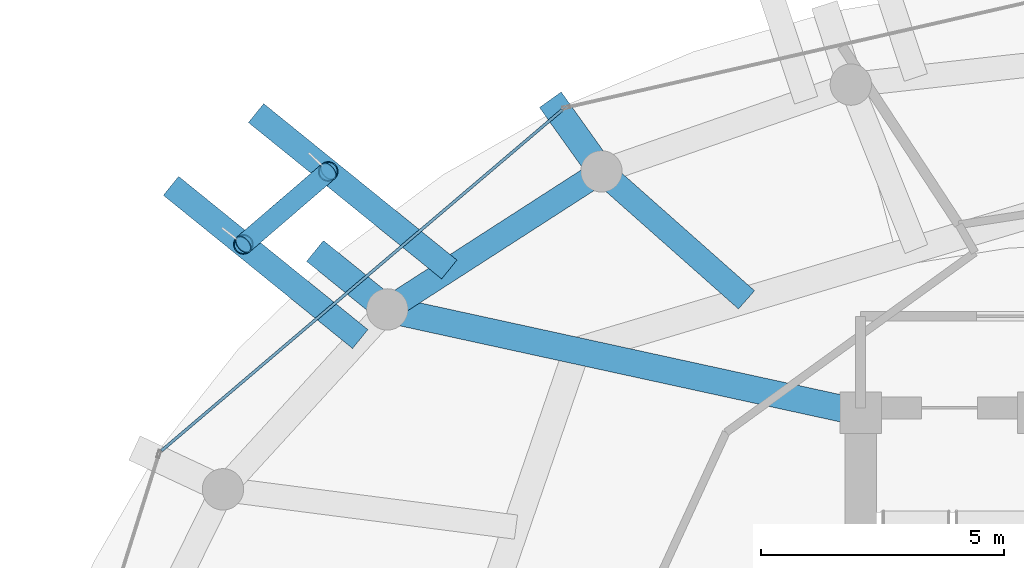
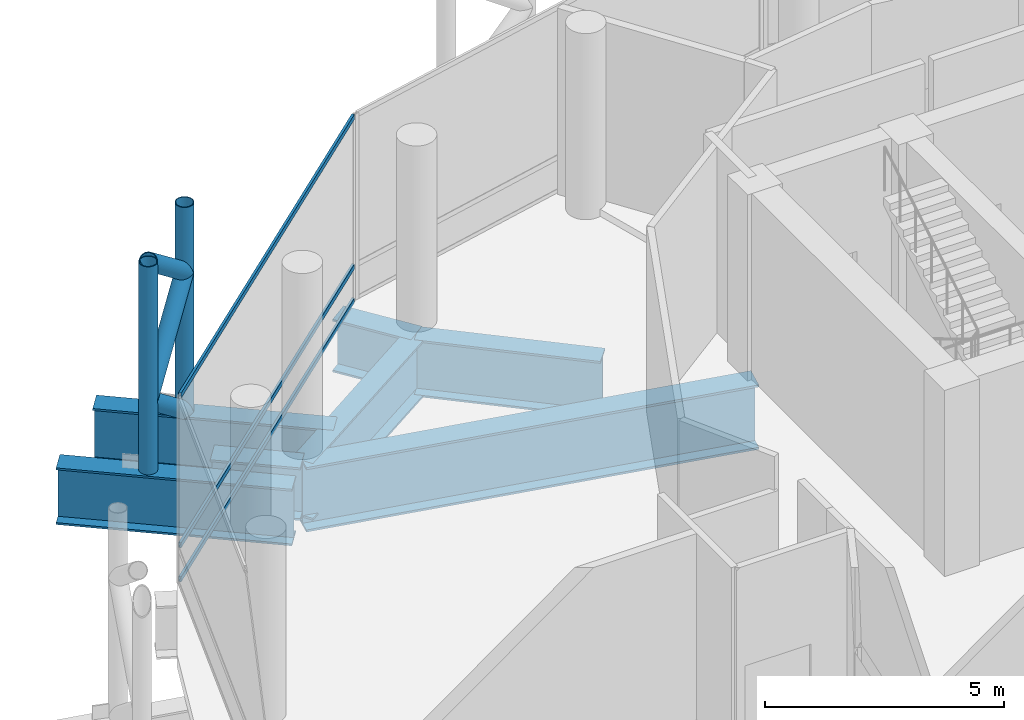
# One storey, part 17 of 31: 8 members, 7 beams, 1 element without a shape of its own.
"""IFC4 building model written with IfcOpenShell, lengths in metres."""

from ifc_helpers import new_model, si_unit, direction, frame, origin, origin_2d, place, context, subcontext, project, spatial, hollow_rectangle, hollow_circle, i_section, extrude, material, layer, layer_set, material_profile, profile_set, type_object, element, aggregate, save


model = new_model("IFC4")

# Units and contexts
model_context = context("Model", 3, precision=1e-05, world=origin(), true_north=direction((0.0, 1.0)))
body_context = subcontext(model_context, "Body", "Model", "MODEL_VIEW")
ifc_project = project(units=[si_unit("LENGTHUNIT", "METRE"), si_unit("AREAUNIT", "SQUARE_METRE"), si_unit("VOLUMEUNIT", "CUBIC_METRE"), si_unit("PLANEANGLEUNIT", "RADIAN"), si_unit("MASSUNIT", "GRAM", prefix="KILO")], contexts=[model_context])

# Site, building, storey
site_placement = place(None, origin())
site = spatial("IfcSite", under=ifc_project, at=site_placement, CompositionType="ELEMENT")
building_placement = place(site_placement, origin())
building = spatial("IfcBuilding", under=site, at=building_placement, Name="Nuhasar Tower", CompositionType="ELEMENT")
storey_placement = place(building_placement, frame((0.0, 0.0, 203.14990234375)))
storey = spatial("IfcBuildingStorey", under=building, at=storey_placement, Name="L49", CompositionType="ELEMENT", Elevation=203.14990234375)

# Beams
ifc_material_1 = material(Name="Steel S460", Category="steel")
ifc_material_profile_1 = material_profile(ifc_material_1, i_section(OverallWidth=0.550048828125, OverallDepth=1.35009765625, WebThickness=0.028076171875, FlangeThickness=0.050048828125, at=origin_2d()), Name="PG1350X550")
ifc_profile_set_1 = profile_set([ifc_material_profile_1], Name="Steel S460")
beam_type_1 = type_object("IfcBeamType", Name="BM-XFER-PG1350", PredefinedType="USERDEFINED", material=ifc_profile_set_1)
beam_1_placement = place(storey_placement, frame((23.97412109375, 39.422119140625, -0.994873046875), z_axis=(-0.777328188004, 0.629095293366, 0.0), x_axis=(-0.629095293366, -0.777328188004, 0.0)))
element("IfcBeam", 1, at=beam_1_placement, inside=storey, type_object=beam_type_1, Name="L49 Radial Step Transfer Girder 07", ObjectType="GIRDER", PredefinedType="USERDEFINED", context=body_context, shape_type="SweptSolid", body=[
    extrude(i_section(OverallWidth=0.550048828125, OverallDepth=1.35009765625, WebThickness=0.028076171875, FlangeThickness=0.050048828125, at=origin_2d()), origin(), (0.0, 0.0, 1.0), 1.91064453125),
])
beam_2_placement = place(storey_placement, frame((28.375, 42.259033203125, -0.994873046875), z_axis=(-0.580752721666, 0.81408001835, 0.0), x_axis=(-0.81408001835, -0.580752721666, 0.0)))
element("IfcBeam", 2, at=beam_2_placement, inside=storey, type_object=beam_type_1, Name="L49 Outer Column Step Transfer Girder 09", ObjectType="GIRDER", PredefinedType="USERDEFINED", context=body_context, shape_type="SweptSolid", body=[
    extrude(i_section(OverallWidth=0.550048828125, OverallDepth=1.35009765625, WebThickness=0.028076171875, FlangeThickness=0.050048828125, at=origin_2d()), origin(), (0.0, 0.0, 1.0), 1.80810546875),
])
ifc_material_profile_2 = material_profile(ifc_material_1, i_section(OverallWidth=0.5, OverallDepth=1.449951171875, WebThickness=0.028076171875, FlangeThickness=0.050048828125, at=origin_2d()), Name="PG1450X500")
ifc_profile_set_2 = profile_set([ifc_material_profile_2], Name="Steel S460")
beam_type_2 = type_object("IfcBeamType", Name="BM-XFER-PG1450", PredefinedType="USERDEFINED", material=ifc_profile_set_2)
beam_3_placement = place(storey_placement, frame((28.375, 42.259033203125, -1.044921875), z_axis=(-0.840502144969, -0.541808217272, 0.0), x_axis=(0.541808217272, -0.840502144969, 0.0)))
element("IfcBeam", 3, at=beam_3_placement, inside=storey, type_object=beam_type_2, Name="L49 Perimeter Ring Spandrel 09", ObjectType="GIRDER", PredefinedType="USERDEFINED", context=body_context, shape_type="SweptSolid", body=[
    extrude(i_section(OverallWidth=0.5, OverallDepth=1.449951171875, WebThickness=0.028076171875, FlangeThickness=0.050048828125, at=origin_2d()), origin(), (0.0, 0.0, 1.0), 5.236083984375),
])
beam_4_placement = place(storey_placement, frame((31.35595703125, 39.618896484375, -1.044921875), z_axis=(-0.748605569088, 0.663015612131, 0.0), x_axis=(-0.663015612131, -0.748605569088, 0.0)))
element("IfcBeam", 4, at=beam_4_placement, inside=storey, type_object=beam_type_2, Name="L49 Inner Column Transfer Girder 09", ObjectType="GIRDER", PredefinedType="USERDEFINED", context=body_context, shape_type="SweptSolid", body=[
    extrude(i_section(OverallWidth=0.5, OverallDepth=1.449951171875, WebThickness=0.028076171875, FlangeThickness=0.050048828125, at=origin_2d()), origin(), (0.0, 0.0, 1.0), 3.98193359375),
])
beam_5_placement = place(storey_placement, frame((25.248046875, 40.242919921875, -1.044921875), z_axis=(-0.777289384617, 0.629143236919, 0.0), x_axis=(-0.629143236919, -0.777289384617, 0.0)))
element("IfcBeam", 5, at=beam_5_placement, inside=storey, type_object=beam_type_2, Name="L49 Exoskeleton Step Transfer Girder 09", ObjectType="GIRDER", PredefinedType="USERDEFINED", context=body_context, shape_type="SweptSolid", body=[
    extrude(i_section(OverallWidth=0.5, OverallDepth=1.449951171875, WebThickness=0.028076171875, FlangeThickness=0.050048828125, at=origin_2d()), origin(), (0.0, 0.0, 1.0), 5.108642578125),
])
beam_6_placement = place(storey_placement, frame((23.41796875, 38.81298828125, -1.044921875), z_axis=(-0.777171012463, 0.629289454375, 0.0), x_axis=(-0.629289454375, -0.777171012463, 0.0)))
element("IfcBeam", 6, at=beam_6_placement, inside=storey, type_object=beam_type_2, Name="L49 Exoskeleton Step Transfer Girder 10", ObjectType="GIRDER", PredefinedType="USERDEFINED", context=body_context, shape_type="SweptSolid", body=[
    extrude(i_section(OverallWidth=0.5, OverallDepth=1.449951171875, WebThickness=0.028076171875, FlangeThickness=0.050048828125, at=origin_2d()), origin(), (0.0, 0.0, 1.0), 5.00390625),
])
ifc_material_profile_3 = material_profile(ifc_material_1, i_section(OverallWidth=0.550048828125, OverallDepth=1.64990234375, WebThickness=0.031982421875, FlangeThickness=0.054931640625, at=origin_2d()), Name="PG1650X550")
ifc_profile_set_3 = profile_set([ifc_material_profile_3], Name="Steel S460")
beam_type_3 = type_object("IfcBeamType", Name="BM-XFER-PG1650", PredefinedType="USERDEFINED", material=ifc_profile_set_3)
beam_7_placement = place(storey_placement, frame((33.699951171875, 37.300048828125, -1.14501953125), z_axis=(-0.977014275474, 0.213173885644, 0.0), x_axis=(-0.213173885644, -0.977014275474, 0.0)))
element("IfcBeam", 7, at=beam_7_placement, inside=storey, type_object=beam_type_3, Name="L49 Radial Floor Girder 07", ObjectType="GIRDER", PredefinedType="USERDEFINED", context=body_context, shape_type="SweptSolid", body=[
    extrude(i_section(OverallWidth=0.550048828125, OverallDepth=1.64990234375, WebThickness=0.031982421875, FlangeThickness=0.054931640625, at=origin_2d()), origin(), (0.0, 0.0, 1.0), 9.95458984375),
])

# Curtain wall, members
ifc_material_2 = material(Name="Aluminium 6063-T6", Category="aluminium")
ifc_layer = layer(ifc_material_2, 0.239990234375)
ifc_layer_set = layer_set([ifc_layer], Name="Aluminium 6063-T6")
curtain_wall_type = type_object("IfcCurtainWallType", Name="CW-SKY-LBY", PredefinedType="NOTDEFINED", material=ifc_layer_set)
curtain_wall_placement = place(storey_placement, origin())
curtain_wall = element("IfcCurtainWall", 8, at=curtain_wall_placement, inside=storey, type_object=curtain_wall_type, Name="L49 Unitised Curtain Wall 05", PredefinedType="NOTDEFINED")
ifc_material_profile_4 = material_profile(ifc_material_2, hollow_rectangle(XDim=0.06005859375, YDim=0.1298828125, WallThickness=0.00439453125, at=origin_2d()), Name="CWT-6")
ifc_profile_set_4 = profile_set([ifc_material_profile_4], Name="Aluminium 6063-T6")
member_type_1 = type_object("IfcMemberType", Name="CW-TRN-S6", PredefinedType="USERDEFINED", material=ifc_profile_set_4)
member_1_placement = place(storey_placement, frame((27.57421875, 43.527099609375, 0.030029296875), z_axis=(-0.761723760695, -0.647901931154, 0.0), x_axis=(0.647901931154, -0.761723760695, 0.0)))
member_1 = element("IfcMember", 9, at=member_1_placement, type_object=member_type_1, Name="CW-SL transom 1.1", ObjectType="TRANSOM", PredefinedType="USERDEFINED", context=body_context, shape_type="SweptSolid", body=[
    extrude(hollow_rectangle(XDim=0.06005859375, YDim=0.1298828125, WallThickness=0.00439453125, at=origin_2d()), origin(), (0.0, 0.0, 1.0), 10.81689453125),
])
member_2_placement = place(storey_placement, frame((27.57421875, 43.527099609375, 0.900146484375), z_axis=(-0.761723760695, -0.647901931154, 0.0), x_axis=(0.647901931154, -0.761723760695, 0.0)))
member_2 = element("IfcMember", 10, at=member_2_placement, type_object=member_type_1, Name="CW-SL transom 1.2", ObjectType="TRANSOM", PredefinedType="USERDEFINED", context=body_context, shape_type="SweptSolid", body=[
    extrude(hollow_rectangle(XDim=0.06005859375, YDim=0.1298828125, WallThickness=0.00439453125, at=origin_2d()), origin(), (0.0, 0.0, 1.0), 10.81689453125),
])
member_3_placement = place(storey_placement, frame((27.57421875, 43.527099609375, 4.72998046875), z_axis=(-0.761723760695, -0.647901931154, 0.0), x_axis=(0.647901931154, -0.761723760695, 0.0)))
member_3 = element("IfcMember", 11, at=member_3_placement, type_object=member_type_1, Name="CW-SL transom 1.3", ObjectType="TRANSOM", PredefinedType="USERDEFINED", context=body_context, shape_type="SweptSolid", body=[
    extrude(hollow_rectangle(XDim=0.06005859375, YDim=0.1298828125, WallThickness=0.00439453125, at=origin_2d()), origin(), (0.0, 0.0, 1.0), 10.81689453125),
])
aggregate(curtain_wall, [member_1, member_2, member_3])

# Members
ifc_material_profile_5 = material_profile(ifc_material_1, hollow_circle(Radius=0.203125, WallThickness=0.01904296875, at=origin_2d()), Name="HSS406.4X19.1")
ifc_profile_set_5 = profile_set([ifc_material_profile_5], Name="Steel S460")
member_type_2 = type_object("IfcMemberType", Name="EXO-BRONZE-406", PredefinedType="BRACE", material=ifc_profile_set_5)
for number, where, z_axis, x_axis, name in (
    (12, (22.760009765625, 42.257080078125, -0.31982421875), (0.0, 0.0, 1.0), (1.0, 0.0, 0.0), "L49 Exoskeleton Chord Column EC-05A"),
    (13, (21.01611328125, 40.758056640625, -0.31982421875), (0.0, 0.0, 1.0), (1.0, 0.0, 0.0), "L49 Exoskeleton Chord Column EC-05B"),
):
    element("IfcMember", number, at=place(storey_placement, frame(where, z_axis=z_axis, x_axis=x_axis)), inside=storey, type_object=member_type_2, Name=name, PredefinedType="BRACE", context=body_context, shape_type="SweptSolid", body=[
        extrude(hollow_circle(Radius=0.203125, WallThickness=0.01904296875, at=origin_2d()), origin(), (0.0, 0.0, 1.0), 5.31982421875),
    ])
member_4_placement = place(storey_placement, frame((22.760009765625, 42.257080078125, -0.31982421875), z_axis=(-0.60057303577, -0.516242256702, 0.610578382439), x_axis=(0.65185738425, -0.758341579104, 0.0)))
element("IfcMember", 14, at=member_4_placement, inside=storey, type_object=member_type_2, Name="L49 Bronze Diagrid Brace W1-05", PredefinedType="BRACE", context=body_context, shape_type="SweptSolid", body=[
    extrude(hollow_circle(Radius=0.203125, WallThickness=0.01904296875, at=origin_2d()), origin(), (0.0, 0.0, 1.0), 2.90380859375),
])
member_5_placement = place(storey_placement, frame((21.01611328125, 40.758056640625, 1.453125), z_axis=(0.60044971443, 0.516136251799, 0.610789251722), x_axis=(-0.65185738425, 0.758341579104, 0.0)))
element("IfcMember", 15, at=member_5_placement, inside=storey, type_object=member_type_2, Name="L49 Bronze Diagrid Brace W2-05", PredefinedType="BRACE", context=body_context, shape_type="SweptSolid", body=[
    extrude(hollow_circle(Radius=0.203125, WallThickness=0.01904296875, at=origin_2d()), origin(), (0.0, 0.0, 1.0), 2.904296875),
])
member_6_placement = place(storey_placement, frame((22.760009765625, 42.257080078125, 3.22705078125), z_axis=(-0.60057303577, -0.516242256702, 0.610578382439), x_axis=(0.65185738425, -0.758341579104, 0.0)))
element("IfcMember", 16, at=member_6_placement, inside=storey, type_object=member_type_2, Name="L49 Bronze Diagrid Brace W3-05", PredefinedType="BRACE", context=body_context, shape_type="SweptSolid", body=[
    extrude(hollow_circle(Radius=0.203125, WallThickness=0.01904296875, at=origin_2d()), origin(), (0.0, 0.0, 1.0), 2.90380859375),
])

save(model, "model.ifc")
